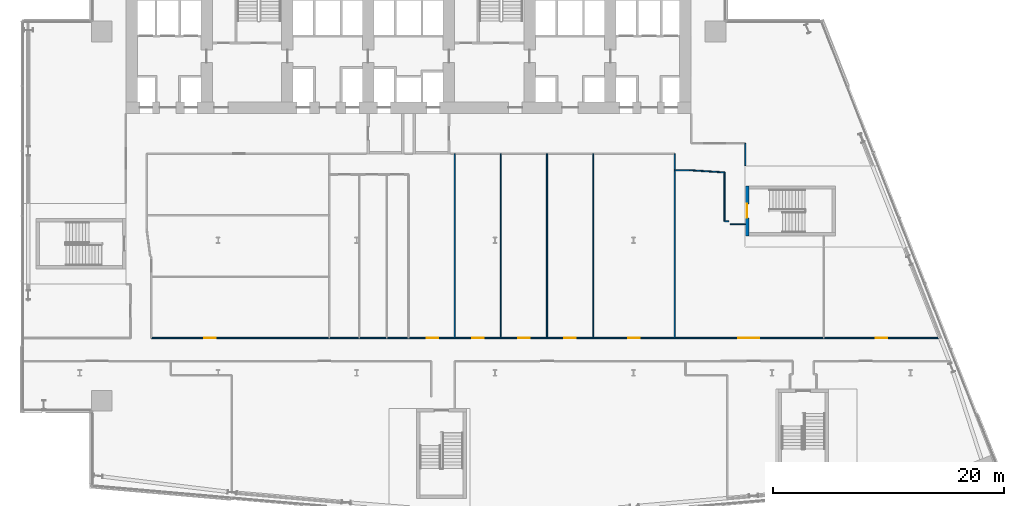
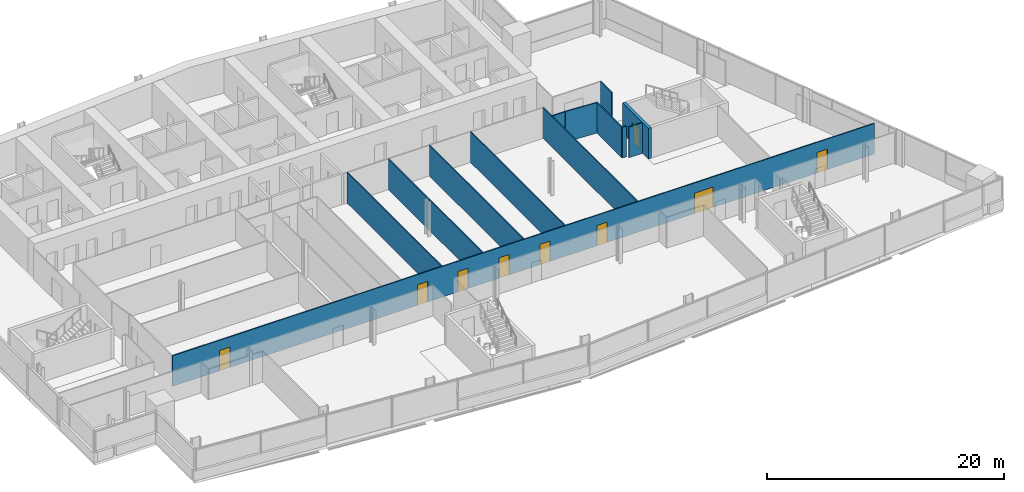
# One storey, part 16 of 25: 13 walls, 9 doors, 9 openings.
"""IFC4 building model written with IfcOpenShell, lengths in metres."""

import ifcopenshell
import ifcopenshell.guid

model = None  # the IFC model being written
_history = None  # IfcOwnerHistory: only IFC2X3 demands one
_inside = {}  # id of a spatial element -> (the spatial element, [elements in it])
_under = {}  # id of a project, library or spatial element -> (it, [spatial elements below it])
_declared = {}  # id of a project -> (the project, [libraries it declares])
_typed = {}  # id of a type object -> (the type object, [elements of that type])
_made_of = {}  # id of a material, layer set ... -> (it, [elements and type objects made of it])


def new_model(schema):
    """Start an empty IFC model of exactly this schema.

    Asked for "IFC4X3", IfcOpenShell would pick the latest addendum, in which some entities
    have other attributes; the version numbers below select the first issue.
    IFC2X3 requires an IfcOwnerHistory on every rooted entity: one is made here for all.
    """
    global model, _history
    if schema == "IFC4X3":
        model = ifcopenshell.file(schema_version=(4, 3, 0, 0))
    else:
        model = ifcopenshell.file(schema=schema)
    _inside.clear()
    _under.clear()
    _declared.clear()
    _typed.clear()
    _made_of.clear()
    _history = None
    if model.schema == "IFC2X3":
        org = make("IfcOrganization", Name="unknown")
        user = make(
            "IfcPersonAndOrganization",
            ThePerson=make("IfcPerson", FamilyName="unknown"),
            TheOrganization=org,
        )
        app = make(
            "IfcApplication",
            ApplicationDeveloper=org,
            Version="unknown",
            ApplicationFullName="unknown",
            ApplicationIdentifier="unknown",
        )
        _history = make(
            "IfcOwnerHistory",
            OwningUser=user,
            OwningApplication=app,
            ChangeAction="ADDED",
            CreationDate=0,
        )
    return model


def make(cls, **values):
    """One entity of the class cls with the attributes given. An attribute that is None is left unset."""
    return model.create_entity(
        cls, **{name: value for name, value in values.items() if value is not None}
    )


def rooted(cls, **values):
    """An entity with a GlobalId (a new one), such as an element, a storey or a relation."""
    return make(cls, GlobalId=ifcopenshell.guid.new(), OwnerHistory=_history, **values)


def si_unit(unit_type, name, prefix=None):
    """IfcSIUnit, for example si_unit("LENGTHUNIT", "METRE", prefix="MILLI")."""
    return make("IfcSIUnit", UnitType=unit_type, Prefix=prefix, Name=name)


def assignment(units):
    """IfcUnitAssignment: the units of a project."""
    return None if units is None else make("IfcUnitAssignment", Units=units)


def point(xyz):
    """IfcCartesianPoint."""
    return None if xyz is None else make("IfcCartesianPoint", Coordinates=xyz)


def direction(xyz):
    """IfcDirection."""
    return None if xyz is None else make("IfcDirection", DirectionRatios=xyz)


def frame(location, z_axis=None, x_axis=None):
    """IfcAxis2Placement3D, a coordinate frame: its origin and axes. An axis left out is left unset."""
    return make(
        "IfcAxis2Placement3D",
        Location=point(location),
        Axis=direction(z_axis),
        RefDirection=direction(x_axis),
    )


def frame_2d(location, x_axis=None):
    """IfcAxis2Placement2D, a coordinate frame in the plane: its origin and x axis."""
    return make(
        "IfcAxis2Placement2D", Location=point(location), RefDirection=direction(x_axis)
    )


def origin():
    """The frame at (0, 0, 0) with its axes left unset."""
    return frame((0.0, 0.0, 0.0))


def place(relative_to, where):
    """IfcLocalPlacement: puts the frame where relative to a parent placement (None: the world)."""
    return make(
        "IfcLocalPlacement", PlacementRelTo=relative_to, RelativePlacement=where
    )


def context(
    kind, dimensions, precision=None, world=None, true_north=None, identifier=None
):
    """IfcGeometricRepresentationContext, for example the 3D "Model" context."""
    return make(
        "IfcGeometricRepresentationContext",
        ContextIdentifier=identifier,
        ContextType=kind,
        CoordinateSpaceDimension=dimensions,
        Precision=precision,
        WorldCoordinateSystem=world,
        TrueNorth=true_north,
    )


def subcontext(parent, identifier, kind, view, scale=None):
    """IfcGeometricRepresentationSubContext, for example "Body" below "Model"."""
    return make(
        "IfcGeometricRepresentationSubContext",
        ContextIdentifier=identifier,
        ContextType=kind,
        ParentContext=parent,
        TargetScale=scale,
        TargetView=view,
    )


def project(units=None, contexts=None):
    """IfcProject with its units and contexts."""
    return rooted(
        "IfcProject",
        Name="project",
        RepresentationContexts=contexts,
        UnitsInContext=assignment(units),
    )


def spatial(cls, under=None, at=None, **own):
    """A site, building, storey or space (cls), placed at a placement, below another one or the project."""
    s = rooted(cls, ObjectPlacement=at, **own)
    if under is not None:
        _under.setdefault(under.id(), (under, []))[1].append(s)
    return s


def profile(cls, at=None, kind="AREA", **sizes):
    """A parametric profile (cls). Its sizes go by their IFC names, for example OverallWidth=200.0."""
    return make(cls, ProfileType=kind, Position=at, **sizes)


def rectangle(**sizes):
    """IfcRectangleProfileDef."""
    return profile("IfcRectangleProfileDef", **sizes)


def extrude(swept, where, along, depth):
    """IfcExtrudedAreaSolid: the profile swept, set in the frame where, extruded along a direction by depth."""
    return make(
        "IfcExtrudedAreaSolid",
        SweptArea=swept,
        Position=where,
        ExtrudedDirection=direction(along),
        Depth=depth,
    )


def shape(context_of_items, identifier, shape_type, items):
    """IfcShapeRepresentation: the items that make up one representation, for example the "Body"."""
    return make(
        "IfcShapeRepresentation",
        ContextOfItems=context_of_items,
        RepresentationIdentifier=identifier,
        RepresentationType=shape_type,
        Items=items,
    )


def material(Name=None, Category=None):
    """IfcMaterial."""
    return make("IfcMaterial", Name=Name, Category=Category)


def layer(
    of_material, thickness, ventilated=None, Name=None, Category=None, Priority=None
):
    """IfcMaterialLayer: one layer of a wall or slab, of a material (None: an air gap)."""
    return make(
        "IfcMaterialLayer",
        Material=of_material,
        LayerThickness=thickness,
        IsVentilated=ventilated,
        Name=Name,
        Category=Category,
        Priority=Priority,
    )


def layer_set(layers, Name=None):
    """IfcMaterialLayerSet."""
    return make("IfcMaterialLayerSet", MaterialLayers=layers, LayerSetName=Name)


def made_of(thing, what):
    """Note that an element or type object is made of a material, layer set ...; save() writes the relation."""
    if what is not None:
        _made_of.setdefault(what.id(), (what, []))[1].append(thing)
    return thing


def type_object(cls, material=None, **own):
    """A type object (cls), such as IfcWallType, which elements share."""
    return made_of(rooted(cls, **own), material)


def element(
    cls,
    number,
    at=None,
    inside=None,
    cuts=None,
    type_object=None,
    material=None,
    context=None,
    identifier="Body",
    shape_type=None,
    held_by="IfcProductDefinitionShape",
    body=None,
    shapes=None,
    **own,
):
    """One element of the class cls, such as IfcWall. Its Tag is "e" and its number.

    at: its placement. inside: the storey or other place that contains it. cuts: it is an
    opening in that element (IfcRelVoidsElement). A single representation is given by context,
    identifier, shape_type and body (its items); several are given by shapes. held_by: the class
    of the entity that holds the representations. save() writes the other relations.
    """
    e = rooted(cls, Tag="e%d" % number, ObjectPlacement=at, **own)
    if body is not None:
        shapes = [shape(context, identifier, shape_type, body)]
    if shapes is not None:
        e.Representation = make(held_by, Representations=shapes)
    if inside is not None:
        _inside.setdefault(inside.id(), (inside, []))[1].append(e)
    if cuts is not None:
        rooted(
            "IfcRelVoidsElement", RelatingBuildingElement=cuts, RelatedOpeningElement=e
        )
    if type_object is not None:
        _typed.setdefault(type_object.id(), (type_object, []))[1].append(e)
    return made_of(e, material)


def fill(opening, filler):
    """IfcRelFillsElement: the door or window that sits in an opening."""
    return rooted(
        "IfcRelFillsElement",
        RelatingOpeningElement=opening,
        RelatedBuildingElement=filler,
    )


def aggregate(whole, parts):
    """IfcRelAggregates: a whole, such as a stair, and the parts it consists of."""
    return rooted("IfcRelAggregates", RelatingObject=whole, RelatedObjects=parts)


def save(model, path):
    """Write the relations noted so far, then the file.

    IfcRelAggregates (storeys below a building ...), IfcRelContainedInSpatialStructure (elements
    in a storey), IfcRelDefinesByType, IfcRelAssociatesMaterial and IfcRelDeclares: one each for
    every whole, place, type object, material and project.
    """
    for whole, parts in _under.values():
        aggregate(whole, parts)
    for where, things in _inside.values():
        rooted(
            "IfcRelContainedInSpatialStructure",
            RelatedElements=things,
            RelatingStructure=where,
        )
    for kind, things in _typed.values():
        rooted("IfcRelDefinesByType", RelatedObjects=things, RelatingType=kind)
    for what, things in _made_of.values():
        rooted("IfcRelAssociatesMaterial", RelatedObjects=things, RelatingMaterial=what)
    for by, libraries in _declared.values():
        rooted("IfcRelDeclares", RelatingContext=by, RelatedDefinitions=libraries)
    model.write(path)


model = new_model("IFC4")

# Units and contexts
model_context = context("Model", 3, precision=1e-05, world=origin(), true_north=direction((0.0, 1.0)))
body_context = subcontext(model_context, "Body", "Model", "MODEL_VIEW")
ifc_project = project(units=[si_unit("LENGTHUNIT", "METRE"), si_unit("AREAUNIT", "SQUARE_METRE"), si_unit("VOLUMEUNIT", "CUBIC_METRE"), si_unit("PLANEANGLEUNIT", "RADIAN"), si_unit("MASSUNIT", "GRAM", prefix="KILO")], contexts=[model_context])

# Site, building, storey
site_placement = place(None, origin())
site = spatial("IfcSite", under=ifc_project, at=site_placement, CompositionType="ELEMENT")
building_placement = place(site_placement, origin())
building = spatial("IfcBuilding", under=site, at=building_placement, Name="Wharfspan Tower", CompositionType="ELEMENT")
storey_placement = place(building_placement, frame((0.0, 0.0, 143.5)))
storey = spatial("IfcBuildingStorey", under=building, at=storey_placement, Name="L34", CompositionType="ELEMENT", Elevation=143.5)

# Wall, openings, doors
ifc_material_1 = material(Name="Gypsum board on steel studs", Category="steel")
ifc_layer_1 = layer(ifc_material_1, 0.100098)
ifc_layer_set_1 = layer_set([ifc_layer_1], Name="Gypsum board on steel studs")
wall_type_1 = type_object("IfcWallType", Name="Compartment wall 100 EI 60", PredefinedType="PARTITIONING", material=ifc_layer_set_1)
wall_1_placement = place(storey_placement, frame((18.199951, 14.530029, 0.0), z_axis=(0.0, 0.0, 1.0), x_axis=(1.0, 0.0, 0.0)))
wall_1 = element("IfcWall", 1, at=wall_1_placement, inside=storey, type_object=wall_type_1, Name="Partition L34.w013", PredefinedType="PARTITIONING", context=body_context, shape_type="SweptSolid", body=[
    extrude(rectangle(XDim=68.410156, YDim=0.100098, at=frame_2d((34.205078, 0.0))), origin(), (0.0, 0.0, 1.0), 3.149902),
])
opening_1_placement = place(wall_1_placement, frame((4.60498, 0.0, 0.0)))
opening_1 = element("IfcOpeningElement", 2, at=opening_1_placement, cuts=wall_1, Name="Opening B6-06", PredefinedType="OPENING", context=body_context, shape_type="SweptSolid", body=[
    extrude(rectangle(XDim=1.0, YDim=2.100098, at=frame_2d((0.5, 1.050049))), frame((0.0, 0.060059, 0.0), z_axis=(0.0, -1.0, 0.0), x_axis=(1.0, 0.0, 0.0)), (0.0, 0.0, 1.0), 0.120117),
])
opening_2_placement = place(wall_1_placement, frame((23.879883, 0.0, 0.0)))
opening_2 = element("IfcOpeningElement", 3, at=opening_2_placement, cuts=wall_1, Name="Opening B6-07", PredefinedType="OPENING", context=body_context, shape_type="SweptSolid", body=[
    extrude(rectangle(XDim=1.0, YDim=2.100098, at=frame_2d((0.5, 1.050049))), frame((0.0, 0.060059, 0.0), z_axis=(0.0, -1.0, 0.0), x_axis=(1.0, 0.0, 0.0)), (0.0, 0.0, 1.0), 0.120117),
])
opening_3_placement = place(wall_1_placement, frame((27.800049, 0.0, 0.0)))
opening_3 = element("IfcOpeningElement", 4, at=opening_3_placement, cuts=wall_1, Name="Opening B6-08", PredefinedType="OPENING", context=body_context, shape_type="SweptSolid", body=[
    extrude(rectangle(XDim=1.0, YDim=2.100098, at=frame_2d((0.5, 1.050049))), frame((0.0, 0.060059, 0.0), z_axis=(0.0, -1.0, 0.0), x_axis=(1.0, 0.0, 0.0)), (0.0, 0.0, 1.0), 0.120117),
])
opening_4_placement = place(wall_1_placement, frame((31.800049, 0.0, 0.0)))
opening_4 = element("IfcOpeningElement", 5, at=opening_4_placement, cuts=wall_1, Name="Opening B6-09", PredefinedType="OPENING", context=body_context, shape_type="SweptSolid", body=[
    extrude(rectangle(XDim=1.0, YDim=2.100098, at=frame_2d((0.5, 1.050049))), frame((0.0, 0.060059, 0.0), z_axis=(0.0, -1.0, 0.0), x_axis=(1.0, 0.0, 0.0)), (0.0, 0.0, 1.0), 0.120117),
])
opening_5_placement = place(wall_1_placement, frame((35.800049, 0.0, 0.0)))
opening_5 = element("IfcOpeningElement", 6, at=opening_5_placement, cuts=wall_1, Name="Opening B6-10", PredefinedType="OPENING", context=body_context, shape_type="SweptSolid", body=[
    extrude(rectangle(XDim=1.0, YDim=2.100098, at=frame_2d((0.5, 1.050049))), frame((0.0, 0.060059, 0.0), z_axis=(0.0, -1.0, 0.0), x_axis=(1.0, 0.0, 0.0)), (0.0, 0.0, 1.0), 0.120117),
])
opening_6_placement = place(wall_1_placement, frame((41.35498, 0.0, 0.0)))
opening_6 = element("IfcOpeningElement", 7, at=opening_6_placement, cuts=wall_1, Name="Opening B6-11", PredefinedType="OPENING", context=body_context, shape_type="SweptSolid", body=[
    extrude(rectangle(XDim=1.0, YDim=2.100098, at=frame_2d((0.5, 1.050049))), frame((0.0, 0.060059, 0.0), z_axis=(0.0, -1.0, 0.0), x_axis=(1.0, 0.0, 0.0)), (0.0, 0.0, 1.0), 0.120117),
])
opening_7_placement = place(wall_1_placement, frame((50.879883, 0.0, 0.0)))
opening_7 = element("IfcOpeningElement", 8, at=opening_7_placement, cuts=wall_1, Name="Opening B6-12", PredefinedType="OPENING", context=body_context, shape_type="SweptSolid", body=[
    extrude(rectangle(XDim=1.800049, YDim=2.100098, at=frame_2d((0.899902, 1.050049))), frame((0.0, 0.060059, 0.0), z_axis=(0.0, -1.0, 0.0), x_axis=(1.0, 0.0, 0.0)), (0.0, 0.0, 1.0), 0.120117),
])
opening_8_placement = place(wall_1_placement, frame((62.795898, 0.0, 0.0)))
opening_8 = element("IfcOpeningElement", 9, at=opening_8_placement, cuts=wall_1, Name="Opening B6-13", PredefinedType="OPENING", context=body_context, shape_type="SweptSolid", body=[
    extrude(rectangle(XDim=1.0, YDim=2.100098, at=frame_2d((0.5, 1.050049))), frame((0.0, 0.060059, 0.0), z_axis=(0.0, -1.0, 0.0), x_axis=(1.0, 0.0, 0.0)), (0.0, 0.0, 1.0), 0.120117),
])
ifc_material_2 = material(Name="Fire-rated timber door leaf in steel frame", Category="steel")
door_type_1 = type_object("IfcDoorType", Name="Door 1000 FD30S Left", OperationType="SINGLE_SWING_LEFT", PredefinedType="DOOR", material=ifc_material_2)
door_1_placement = place(opening_1_placement, origin())
door_1 = element("IfcDoor", 10, at=door_1_placement, inside=storey, type_object=door_type_1, Name="Door B6-06", OperationType="SINGLE_SWING_LEFT", OverallHeight=2.100098, OverallWidth=1.0, PredefinedType="DOOR", context=body_context, shape_type="SweptSolid", body=[
    extrude(rectangle(XDim=1.0, YDim=2.100098, at=frame_2d((0.5, 1.050049))), frame((0.0, 0.024902, 0.0), z_axis=(0.0, -1.0, 0.0), x_axis=(1.0, 0.0, 0.0)), (0.0, 0.0, 1.0), 0.050049),
])
fill(opening_1, door_1)
door_2_placement = place(opening_2_placement, origin())
door_2 = element("IfcDoor", 11, at=door_2_placement, inside=storey, type_object=door_type_1, Name="Door B6-07", OperationType="SINGLE_SWING_LEFT", OverallHeight=2.100098, OverallWidth=1.0, PredefinedType="DOOR", context=body_context, shape_type="SweptSolid", body=[
    extrude(rectangle(XDim=1.0, YDim=2.100098, at=frame_2d((0.5, 1.050049))), frame((0.0, 0.024902, 0.0), z_axis=(0.0, -1.0, 0.0), x_axis=(1.0, 0.0, 0.0)), (0.0, 0.0, 1.0), 0.050049),
])
fill(opening_2, door_2)
door_3_placement = place(opening_3_placement, origin())
door_3 = element("IfcDoor", 12, at=door_3_placement, inside=storey, type_object=door_type_1, Name="Door B6-08", OperationType="SINGLE_SWING_LEFT", OverallHeight=2.100098, OverallWidth=1.0, PredefinedType="DOOR", context=body_context, shape_type="SweptSolid", body=[
    extrude(rectangle(XDim=1.0, YDim=2.100098, at=frame_2d((0.5, 1.050049))), frame((0.0, 0.024902, 0.0), z_axis=(0.0, -1.0, 0.0), x_axis=(1.0, 0.0, 0.0)), (0.0, 0.0, 1.0), 0.050049),
])
fill(opening_3, door_3)
door_4_placement = place(opening_4_placement, origin())
door_4 = element("IfcDoor", 13, at=door_4_placement, inside=storey, type_object=door_type_1, Name="Door B6-09", OperationType="SINGLE_SWING_LEFT", OverallHeight=2.100098, OverallWidth=1.0, PredefinedType="DOOR", context=body_context, shape_type="SweptSolid", body=[
    extrude(rectangle(XDim=1.0, YDim=2.100098, at=frame_2d((0.5, 1.050049))), frame((0.0, 0.024902, 0.0), z_axis=(0.0, -1.0, 0.0), x_axis=(1.0, 0.0, 0.0)), (0.0, 0.0, 1.0), 0.050049),
])
fill(opening_4, door_4)
door_type_2 = type_object("IfcDoorType", Name="Door 1000 FD30S Right", OperationType="SINGLE_SWING_RIGHT", PredefinedType="DOOR", material=ifc_material_2)
door_5_placement = place(opening_5_placement, origin())
door_5 = element("IfcDoor", 14, at=door_5_placement, inside=storey, type_object=door_type_2, Name="Door B6-10", OperationType="SINGLE_SWING_RIGHT", OverallHeight=2.100098, OverallWidth=1.0, PredefinedType="DOOR", context=body_context, shape_type="SweptSolid", body=[
    extrude(rectangle(XDim=1.0, YDim=2.100098, at=frame_2d((0.5, 1.050049))), frame((0.0, 0.024902, 0.0), z_axis=(0.0, -1.0, 0.0), x_axis=(1.0, 0.0, 0.0)), (0.0, 0.0, 1.0), 0.050049),
])
fill(opening_5, door_5)
door_6_placement = place(opening_6_placement, origin())
door_6 = element("IfcDoor", 15, at=door_6_placement, inside=storey, type_object=door_type_2, Name="Door B6-11", OperationType="SINGLE_SWING_RIGHT", OverallHeight=2.100098, OverallWidth=1.0, PredefinedType="DOOR", context=body_context, shape_type="SweptSolid", body=[
    extrude(rectangle(XDim=1.0, YDim=2.100098, at=frame_2d((0.5, 1.050049))), frame((0.0, 0.024902, 0.0), z_axis=(0.0, -1.0, 0.0), x_axis=(1.0, 0.0, 0.0)), (0.0, 0.0, 1.0), 0.050049),
])
fill(opening_6, door_6)
door_7_placement = place(opening_8_placement, origin())
door_7 = element("IfcDoor", 16, at=door_7_placement, inside=storey, type_object=door_type_2, Name="Door B6-13", OperationType="SINGLE_SWING_RIGHT", OverallHeight=2.100098, OverallWidth=1.0, PredefinedType="DOOR", context=body_context, shape_type="SweptSolid", body=[
    extrude(rectangle(XDim=1.0, YDim=2.100098, at=frame_2d((0.5, 1.050049))), frame((0.0, 0.024902, 0.0), z_axis=(0.0, -1.0, 0.0), x_axis=(1.0, 0.0, 0.0)), (0.0, 0.0, 1.0), 0.050049),
])
fill(opening_8, door_7)
door_type_3 = type_object("IfcDoorType", Name="Door 1800 FD30S Double", OperationType="DOUBLE_DOOR_SINGLE_SWING", PredefinedType="DOOR", material=ifc_material_2)
door_8_placement = place(opening_7_placement, origin())
door_8 = element("IfcDoor", 17, at=door_8_placement, inside=storey, type_object=door_type_3, Name="Door B6-12", OperationType="DOUBLE_DOOR_SINGLE_SWING", OverallHeight=2.100098, OverallWidth=1.800049, PredefinedType="DOOR", context=body_context, shape_type="SweptSolid", body=[
    extrude(rectangle(XDim=1.800049, YDim=2.100098, at=frame_2d((0.899902, 1.050049))), frame((0.0, 0.024902, 0.0), z_axis=(0.0, -1.0, 0.0), x_axis=(1.0, 0.0, 0.0)), (0.0, 0.0, 1.0), 0.050049),
])
fill(opening_7, door_8)

# Walls
for number, where, z_axis, x_axis, name in (
    (18, (44.5, 14.530029, 0.0), (0.0, 0.0, 1.0), (0.0, 1.0, 0.0), "Partition L34.w027"),
    (19, (48.5, 14.530029, 0.0), (0.0, 0.0, 1.0), (0.0, 1.0, 0.0), "Partition L34.w030"),
    (20, (52.5, 14.530029, 0.0), (0.0, 0.0, 1.0), (0.0, 1.0, 0.0), "Partition L34.w031"),
    (21, (56.5, 14.530029, 0.0), (0.0, 0.0, 1.0), (0.0, 1.0, 0.0), "Partition L34.w032"),
    (22, (63.574951, 14.530029, 0.0), (0.0, 0.0, 1.0), (0.0, 1.0, 0.0), "Partition L34.w033"),
):
    element("IfcWall", number, at=place(storey_placement, frame(where, z_axis=z_axis, x_axis=x_axis)), inside=storey, type_object=wall_type_1, Name=name, PredefinedType="PARTITIONING", context=body_context, shape_type="SweptSolid", body=[
        extrude(rectangle(XDim=15.969971, YDim=0.100098, at=frame_2d((7.984863, 0.0))), origin(), (0.0, 0.0, 1.0), 3.149902),
    ])
wall_2_placement = place(storey_placement, frame((63.574951, 29.074951, 0.0), z_axis=(0.0, 0.0, 1.0), x_axis=(1.0, 0.0, 0.0)))
element("IfcWall", 23, at=wall_2_placement, inside=storey, type_object=wall_type_1, Name="Partition L34.w034", PredefinedType="PARTITIONING", context=body_context, shape_type="SweptSolid", body=[
    extrude(rectangle(XDim=1.285156, YDim=0.100098, at=frame_2d((0.642578, 0.0))), origin(), (0.0, 0.0, 1.0), 3.149902),
])
wall_3_placement = place(storey_placement, frame((67.889893, 24.649902, 0.0), z_axis=(0.0, 0.0, 1.0), x_axis=(0.0, 1.0, 0.0)))
element("IfcWall", 24, at=wall_3_placement, inside=storey, type_object=wall_type_1, Name="Partition L34.w039", PredefinedType="PARTITIONING", context=body_context, shape_type="SweptSolid", body=[
    extrude(rectangle(XDim=4.235107, YDim=0.100098, at=frame_2d((2.117676, 0.0))), origin(), (0.0, 0.0, 1.0), 3.149902),
])
wall_4_placement = place(storey_placement, frame((67.889893, 24.649902, 0.0), z_axis=(0.0, 0.0, 1.0), x_axis=(1.0, 0.0, 0.0)))
element("IfcWall", 25, at=wall_4_placement, inside=storey, type_object=wall_type_1, Name="Partition L34.w040", PredefinedType="PARTITIONING", context=body_context, shape_type="SweptSolid", body=[
    extrude(rectangle(XDim=0.380127, YDim=0.100098, at=frame_2d((0.189941, 0.0))), origin(), (0.0, 0.0, 1.0), 3.149902),
])
wall_5_placement = place(storey_placement, frame((67.889893, 28.88501, 0.0), z_axis=(0.0, 0.0, 1.0), x_axis=(-0.998031, 0.062786, 0.0)))
element("IfcWall", 26, at=wall_5_placement, inside=storey, type_object=wall_type_1, Name="Partition L34.w041", PredefinedType="PARTITIONING", context=body_context, shape_type="SweptSolid", body=[
    extrude(rectangle(XDim=3.02124, YDim=0.100098, at=frame_2d((1.510742, 0.0))), origin(), (0.0, 0.0, 1.0), 3.149902),
])
wall_6_placement = place(storey_placement, frame((68.389893, 24.399902, 0.0), z_axis=(0.0, 0.0, 1.0), x_axis=(1.0, 0.0, 0.0)))
element("IfcWall", 27, at=wall_6_placement, inside=storey, type_object=wall_type_1, Name="Partition L34.w044", PredefinedType="PARTITIONING", context=body_context, shape_type="SweptSolid", body=[
    extrude(rectangle(XDim=1.280518, YDim=0.100098, at=frame_2d((0.640137, 0.0))), origin(), (0.0, 0.0, 1.0), 3.149902),
])
wall_7_placement = place(storey_placement, frame((69.689941, 29.469971, 0.0), z_axis=(0.0, 0.0, 1.0), x_axis=(0.0, 1.0, 0.0)))
element("IfcWall", 28, at=wall_7_placement, inside=storey, type_object=wall_type_1, Name="Partition L34.w045", PredefinedType="PARTITIONING", context=body_context, shape_type="SweptSolid", body=[
    extrude(rectangle(XDim=1.929932, YDim=0.100098, at=frame_2d((0.964844, 0.0))), origin(), (0.0, 0.0, 1.0), 3.149902),
])

# Wall, opening, door
ifc_material_3 = material(Name="Concrete C40/50", Category="concrete")
ifc_layer_2 = layer(ifc_material_3, 0.300049)
ifc_layer_set_2 = layer_set([ifc_layer_2], Name="Concrete C40/50")
wall_type_2 = type_object("IfcWallType", Name="Stair core wall 300", PredefinedType="SHEAR", material=ifc_layer_set_2)
wall_8_placement = place(storey_placement, frame((69.840332, 23.375, 0.0), z_axis=(0.0, 0.0, 1.0), x_axis=(0.0, 1.0, 0.0)))
wall_8 = element("IfcWall", 29, at=wall_8_placement, inside=storey, type_object=wall_type_2, Name="ST6 stair enclosure wall L34", PredefinedType="SHEAR", context=body_context, shape_type="SweptSolid", body=[
    extrude(rectangle(XDim=4.350098, YDim=0.300049, at=frame_2d((2.175049, 0.0))), origin(), (0.0, 0.0, 1.0), 3.149902),
])
opening_9_placement = place(wall_8_placement, frame((1.574951, 0.0, 0.0)))
opening_9 = element("IfcOpeningElement", 30, at=opening_9_placement, cuts=wall_8, Name="Opening SD6.L34", PredefinedType="OPENING", context=body_context, shape_type="SweptSolid", body=[
    extrude(rectangle(XDim=1.199951, YDim=2.100098, at=frame_2d((0.600098, 1.050049))), frame((0.0, 0.159912, 0.0), z_axis=(0.0, -1.0, 0.0), x_axis=(1.0, 0.0, 0.0)), (0.0, 0.0, 1.0), 0.320068),
])
ifc_material_4 = material(Name="Steel door leaf", Category="steel")
door_type_4 = type_object("IfcDoorType", Name="Stair door 1200x2100", OperationType="SINGLE_SWING_LEFT", PredefinedType="DOOR", material=ifc_material_4)
door_9_placement = place(opening_9_placement, origin())
door_9 = element("IfcDoor", 31, at=door_9_placement, inside=storey, type_object=door_type_4, Name="sd:L34:ST6z2", OperationType="SINGLE_SWING_RIGHT", OverallHeight=2.100098, OverallWidth=1.199951, PredefinedType="DOOR", context=body_context, shape_type="SweptSolid", body=[
    extrude(rectangle(XDim=1.199951, YDim=2.100098, at=frame_2d((0.600098, 1.050049))), frame((0.0, 0.024902, 0.0), z_axis=(0.0, -1.0, 0.0), x_axis=(1.0, 0.0, 0.0)), (0.0, 0.0, 1.0), 0.050049),
])
fill(opening_9, door_9)

save(model, "model.ifc")
